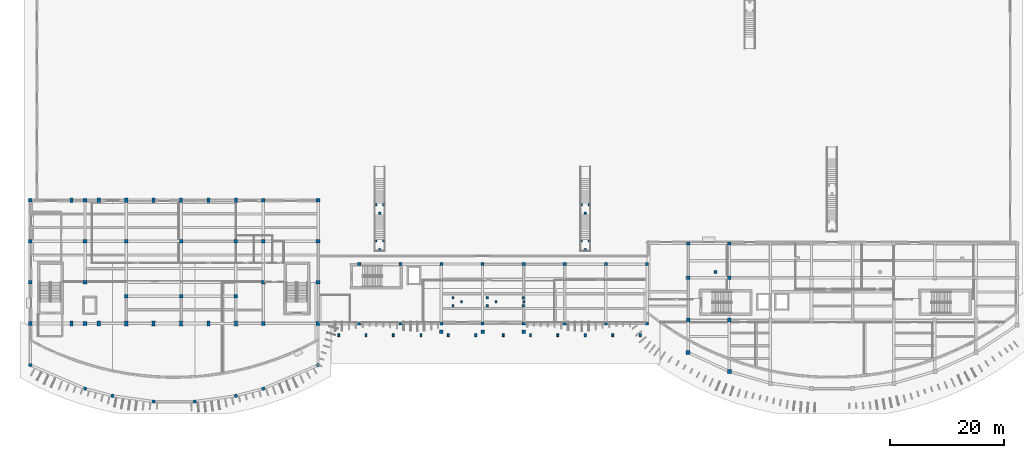
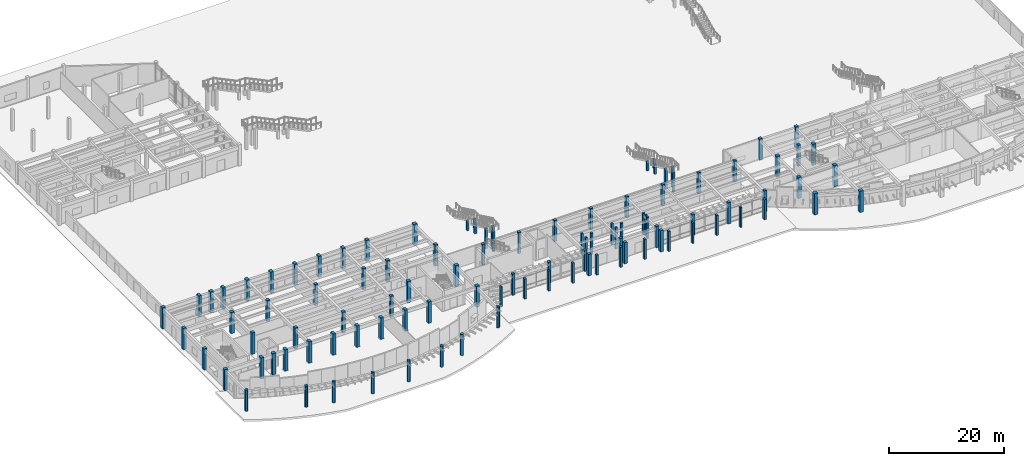
# One storey, part 1 of 58: 105 columns.
"""IFC4 building model written with IfcOpenShell, lengths in metres."""

from ifc_helpers import new_model, si_unit, direction, frame, origin, origin_2d, place, context, subcontext, project, spatial, rectangle, circle, extrude, material, material_profile, profile_set, type_object, element, save


model = new_model("IFC4")

# Units and contexts
model_context = context("Model", 3, precision=1e-05, world=origin(), true_north=direction((0.0, 1.0)))
body_context = subcontext(model_context, "Body", "Model", "MODEL_VIEW")
ifc_project = project(units=[si_unit("LENGTHUNIT", "METRE"), si_unit("AREAUNIT", "SQUARE_METRE"), si_unit("VOLUMEUNIT", "CUBIC_METRE"), si_unit("PLANEANGLEUNIT", "RADIAN"), si_unit("MASSUNIT", "GRAM", prefix="KILO")], contexts=[model_context])

# Site, building, storey
site_placement = place(None, origin())
site = spatial("IfcSite", under=ifc_project, at=site_placement, CompositionType="ELEMENT")
building_placement = place(site_placement, origin())
building = spatial("IfcBuilding", under=site, at=building_placement, Name="Brisavento Harbour Community Centre", CompositionType="ELEMENT")
storey_placement = place(building_placement, origin())
storey = spatial("IfcBuildingStorey", under=building, at=storey_placement, Name="L00", CompositionType="ELEMENT", Elevation=0.0)

# Columns
ifc_material_1 = material(Name="Concrete C35/45", Category="concrete")
ifc_material_profile_1 = material_profile(ifc_material_1, rectangle(XDim=0.39990234375, YDim=0.39990234375, at=origin_2d()), Name="Concrete C35/45")
ifc_profile_set_1 = profile_set([ifc_material_profile_1], Name="Concrete C35/45")
column_type_1 = type_object("IfcColumnType", Name="COL-RC-400", PredefinedType="COLUMN", material=ifc_profile_set_1)
for number, where, z_axis, x_axis, name in (
    (1, (60.52001953125, 35.199951171875, 0.0), (0.0, 0.0, 1.0), (1.0, 0.0, 0.0), "MST-01 MID support column 1 L00"),
    (2, (61.8798828125, 35.199951171875, 0.0), (0.0, 0.0, 1.0), (1.0, 0.0, 0.0), "MST-01 MID support column 2 L00"),
    (3, (61.199951171875, 33.7099609375, 0.0), (0.0, 0.0, 1.0), (1.0, 0.0, 0.0), "MST-01 MID support column 3 L00"),
):
    element("IfcColumn", number, at=place(storey_placement, frame(where, z_axis=z_axis, x_axis=x_axis)), inside=storey, type_object=column_type_1, Name=name, PredefinedType="COLUMN", context=body_context, shape_type="SweptSolid", body=[
        extrude(rectangle(XDim=0.39990234375, YDim=0.39990234375, at=origin_2d()), origin(), (0.0, 0.0, 1.0), 2.050048828125),
    ])
for number, where, z_axis, x_axis, name in (
    (4, (60.52001953125, 28.830078125, 0.0), (0.0, 0.0, 1.0), (1.0, 0.0, 0.0), "MST-01 TOP support column 1 L00"),
    (5, (61.8798828125, 28.830078125, 0.0), (0.0, 0.0, 1.0), (1.0, 0.0, 0.0), "MST-01 TOP support column 2 L00"),
    (6, (61.199951171875, 27.340087890625, 0.0), (0.0, 0.0, 1.0), (1.0, 0.0, 0.0), "MST-01 TOP support column 3 L00"),
):
    element("IfcColumn", number, at=place(storey_placement, frame(where, z_axis=z_axis, x_axis=x_axis)), inside=storey, type_object=column_type_1, Name=name, PredefinedType="COLUMN", context=body_context, shape_type="SweptSolid", body=[
        extrude(rectangle(XDim=0.39990234375, YDim=0.39990234375, at=origin_2d()), origin(), (0.0, 0.0, 1.0), 4.300048828125),
    ])
for number, where, z_axis, x_axis, name in (
    (7, (96.52001953125, 35.199951171875, 0.0), (0.0, 0.0, 1.0), (1.0, 0.0, 0.0), "MST-02 MID support column 1 L00"),
    (8, (97.8798828125, 35.199951171875, 0.0), (0.0, 0.0, 1.0), (1.0, 0.0, 0.0), "MST-02 MID support column 2 L00"),
    (9, (97.199951171875, 33.7099609375, 0.0), (0.0, 0.0, 1.0), (1.0, 0.0, 0.0), "MST-02 MID support column 3 L00"),
):
    element("IfcColumn", number, at=place(storey_placement, frame(where, z_axis=z_axis, x_axis=x_axis)), inside=storey, type_object=column_type_1, Name=name, PredefinedType="COLUMN", context=body_context, shape_type="SweptSolid", body=[
        extrude(rectangle(XDim=0.39990234375, YDim=0.39990234375, at=origin_2d()), origin(), (0.0, 0.0, 1.0), 2.050048828125),
    ])
for number, where, z_axis, x_axis, name in (
    (10, (96.52001953125, 28.830078125, 0.0), (0.0, 0.0, 1.0), (1.0, 0.0, 0.0), "MST-02 TOP support column 1 L00"),
    (11, (97.8798828125, 28.830078125, 0.0), (0.0, 0.0, 1.0), (1.0, 0.0, 0.0), "MST-02 TOP support column 2 L00"),
    (12, (97.199951171875, 27.340087890625, 0.0), (0.0, 0.0, 1.0), (1.0, 0.0, 0.0), "MST-02 TOP support column 3 L00"),
):
    element("IfcColumn", number, at=place(storey_placement, frame(where, z_axis=z_axis, x_axis=x_axis)), inside=storey, type_object=column_type_1, Name=name, PredefinedType="COLUMN", context=body_context, shape_type="SweptSolid", body=[
        extrude(rectangle(XDim=0.39990234375, YDim=0.39990234375, at=origin_2d()), origin(), (0.0, 0.0, 1.0), 4.300048828125),
    ])
for number, where, z_axis, x_axis, name in (
    (13, (74.010009765625, 17.510009765625, 0.0), (0.0, 0.0, 1.0), (1.0, 0.0, 0.0), "MST-08 BOT support column 1 L00"),
    (14, (74.010009765625, 18.889892578125, 0.0), (0.0, 0.0, 1.0), (1.0, 0.0, 0.0), "MST-08 BOT support column 2 L00"),
    (15, (75.52001953125, 18.199951171875, 0.0), (0.0, 0.0, 1.0), (1.0, 0.0, 0.0), "MST-08 BOT support column 3 L00"),
    (16, (80.0400390625, 17.510009765625, 0.0), (0.0, 0.0, 1.0), (1.0, 0.0, 0.0), "MST-08 MID support column 1 L00"),
    (17, (80.0400390625, 18.889892578125, 0.0), (0.0, 0.0, 1.0), (1.0, 0.0, 0.0), "MST-08 MID support column 2 L00"),
    (18, (81.550048828125, 18.199951171875, 0.0), (0.0, 0.0, 1.0), (1.0, 0.0, 0.0), "MST-08 MID support column 3 L00"),
    (19, (86.344970703125, 17.510009765625, 0.0), (0.0, 0.0, 1.0), (1.0, 0.0, 0.0), "MST-08 TOP support column 1 L00"),
    (20, (86.344970703125, 18.889892578125, 0.0), (0.0, 0.0, 1.0), (1.0, 0.0, 0.0), "MST-08 TOP support column 2 L00"),
    (21, (86.455078125, 18.199951171875, 0.0), (0.0, 0.0, 1.0), (1.0, 0.0, 0.0), "MST-08 TOP support column 3 L00"),
):
    element("IfcColumn", number, at=place(storey_placement, frame(where, z_axis=z_axis, x_axis=x_axis)), inside=storey, type_object=column_type_1, Name=name, PredefinedType="COLUMN", context=body_context, shape_type="SweptSolid", body=[
        extrude(rectangle(XDim=0.39990234375, YDim=0.39990234375, at=origin_2d()), origin(), (0.0, 0.0, 1.0), 4.5),
    ])
ifc_material_profile_2 = material_profile(ifc_material_1, rectangle(XDim=0.550048828125, YDim=0.550048828125, at=origin_2d()), Name="Concrete C35/45")
ifc_profile_set_2 = profile_set([ifc_material_profile_2], Name="Concrete C35/45")
column_type_2 = type_object("IfcColumnType", Name="COL-RC-550", PredefinedType="COLUMN", material=ifc_profile_set_2)
for number, where, z_axis, x_axis, name in (
    (22, (57.60009765625, 14.39990234375, 0.0), (0.0, 0.0, 1.0), (1.0, 0.0, 0.0), "L00 column V2S-57"),
    (23, (57.60009765625, 24.800048828125, 0.0), (0.0, 0.0, 1.0), (1.0, 0.0, 0.0), "L00 column V2N-57"),
    (24, (64.800048828125, 14.39990234375, 0.0), (0.0, 0.0, 1.0), (1.0, 0.0, 0.0), "L00 column V2S-64"),
    (25, (64.800048828125, 24.800048828125, 0.0), (0.0, 0.0, 1.0), (1.0, 0.0, 0.0), "L00 column V2N-64"),
    (26, (72.0, 14.39990234375, 0.0), (0.0, 0.0, 1.0), (1.0, 0.0, 0.0), "L00 column V2S-72"),
    (27, (72.0, 24.800048828125, 0.0), (0.0, 0.0, 1.0), (1.0, 0.0, 0.0), "L00 column V2N-72"),
    (28, (79.199951171875, 14.39990234375, 0.0), (0.0, 0.0, 1.0), (1.0, 0.0, 0.0), "L00 column V2S-79"),
    (29, (79.199951171875, 24.800048828125, 0.0), (0.0, 0.0, 1.0), (1.0, 0.0, 0.0), "L00 column V2N-79"),
    (30, (86.39990234375, 14.39990234375, 0.0), (0.0, 0.0, 1.0), (1.0, 0.0, 0.0), "L00 column V2S-86"),
    (31, (86.39990234375, 24.800048828125, 0.0), (0.0, 0.0, 1.0), (1.0, 0.0, 0.0), "L00 column V2N-86"),
    (32, (93.60009765625, 14.39990234375, 0.0), (0.0, 0.0, 1.0), (1.0, 0.0, 0.0), "L00 column V2S-93"),
    (33, (93.60009765625, 24.800048828125, 0.0), (0.0, 0.0, 1.0), (1.0, 0.0, 0.0), "L00 column V2N-93"),
    (34, (100.800048828125, 14.39990234375, 0.0), (0.0, 0.0, 1.0), (1.0, 0.0, 0.0), "L00 column V2S-100"),
    (35, (100.800048828125, 24.800048828125, 0.0), (0.0, 0.0, 1.0), (1.0, 0.0, 0.0), "L00 column V2N-100"),
    (36, (108.0, 14.39990234375, 0.0), (0.0, 0.0, 1.0), (1.0, 0.0, 0.0), "L00 column V2S-108"),
    (37, (108.0, 24.800048828125, 0.0), (0.0, 0.0, 1.0), (1.0, 0.0, 0.0), "L00 column V2N-108"),
    (38, (120.0, 23.39990234375, 0.0), (0.0, 0.0, 1.0), (1.0, 0.0, 0.0), "L00 column V3TER-120"),
):
    element("IfcColumn", number, at=place(storey_placement, frame(where, z_axis=z_axis, x_axis=x_axis)), inside=storey, type_object=column_type_2, Name=name, PredefinedType="COLUMN", context=body_context, shape_type="SweptSolid", body=[
        extrude(rectangle(XDim=0.550048828125, YDim=0.550048828125, at=origin_2d()), origin(), (0.0, 0.0, 1.0), 4.5),
    ])
ifc_material_profile_3 = material_profile(ifc_material_1, rectangle(XDim=0.60009765625, YDim=0.60009765625, at=origin_2d()), Name="Concrete C35/45")
ifc_profile_set_3 = profile_set([ifc_material_profile_3], Name="Concrete C35/45")
column_type_3 = type_object("IfcColumnType", Name="COL-RC-600", PredefinedType="COLUMN", material=ifc_profile_set_3)
for number, where, z_axis, x_axis, name in (
    (39, (16.800048828125, 19.199951171875, 0.0), (0.0, 0.0, 1.0), (1.0, 0.0, 0.0), "L00 column V1SUB-168-192"),
    (40, (16.800048828125, 28.800048828125, 0.0), (0.0, 0.0, 1.0), (1.0, 0.0, 0.0), "L00 column V1SUB-168-288"),
    (41, (26.39990234375, 19.199951171875, 0.0), (0.0, 0.0, 1.0), (1.0, 0.0, 0.0), "L00 column V1SUB-264-192"),
    (42, (26.39990234375, 28.800048828125, 0.0), (0.0, 0.0, 1.0), (1.0, 0.0, 0.0), "L00 column V1SUB-264-288"),
    (43, (36.0, 19.199951171875, 0.0), (0.0, 0.0, 1.0), (1.0, 0.0, 0.0), "L00 column V1SUB-360-192"),
    (44, (36.0, 28.800048828125, 0.0), (0.0, 0.0, 1.0), (1.0, 0.0, 0.0), "L00 column V1SUB-360-288"),
    (45, (115.199951171875, 28.39990234375, 0.0), (0.0, 0.0, 1.0), (1.0, 0.0, 0.0), "L00 column V3N2-115"),
    (46, (122.39990234375, 28.39990234375, 0.0), (0.0, 0.0, 1.0), (1.0, 0.0, 0.0), "L00 column V3N2-122"),
    (47, (72.0, 12.949951171875, 0.0), (0.0, 0.0, 1.0), (1.0, 0.0, 0.0), "L00 column V2ARCH-72"),
    (48, (79.199951171875, 12.949951171875, 0.0), (0.0, 0.0, 1.0), (1.0, 0.0, 0.0), "L00 column V2ARCH-79"),
    (49, (86.39990234375, 12.949951171875, 0.0), (0.0, 0.0, 1.0), (1.0, 0.0, 0.0), "L00 column V2ARCH-86"),
):
    element("IfcColumn", number, at=place(storey_placement, frame(where, z_axis=z_axis, x_axis=x_axis)), inside=storey, type_object=column_type_3, Name=name, PredefinedType="COLUMN", context=body_context, shape_type="SweptSolid", body=[
        extrude(rectangle(XDim=0.60009765625, YDim=0.60009765625, at=origin_2d()), origin(), (0.0, 0.0, 1.0), 4.5),
    ])
ifc_material_2 = material(Name="Concrete C40/50", Category="concrete")
ifc_material_profile_4 = material_profile(ifc_material_2, rectangle(XDim=0.64990234375, YDim=0.64990234375, at=origin_2d()), Name="Concrete C40/50")
ifc_profile_set_4 = profile_set([ifc_material_profile_4], Name="Concrete C40/50")
column_type_4 = type_object("IfcColumnType", Name="COL-RC-650", PredefinedType="COLUMN", material=ifc_profile_set_4)
for number, where, z_axis, x_axis, name in (
    (50, (0.0, 14.39990234375, 0.0), (0.0, 0.0, 1.0), (1.0, 0.0, 0.0), "L00 column V1F-0-14"),
    (51, (0.0, 21.60009765625, 0.0), (0.0, 0.0, 1.0), (1.0, 0.0, 0.0), "L00 column V1F-0-22"),
    (52, (0.0, 28.800048828125, 0.0), (0.0, 0.0, 1.0), (1.0, 0.0, 0.0), "L00 column V1F-0-29"),
    (53, (0.0, 36.0, 0.0), (0.0, 0.0, 1.0), (1.0, 0.0, 0.0), "L00 column V1F-0-36"),
    (54, (9.60009765625, 14.39990234375, 0.0), (0.0, 0.0, 1.0), (1.0, 0.0, 0.0), "L00 column V1F-10-14"),
    (55, (9.60009765625, 21.60009765625, 0.0), (0.0, 0.0, 1.0), (1.0, 0.0, 0.0), "L00 column V1F-10-22"),
    (56, (9.60009765625, 28.800048828125, 0.0), (0.0, 0.0, 1.0), (1.0, 0.0, 0.0), "L00 column V1F-10-29"),
    (57, (9.60009765625, 36.0, 0.0), (0.0, 0.0, 1.0), (1.0, 0.0, 0.0), "L00 column V1F-10-36"),
    (58, (40.800048828125, 14.39990234375, 0.0), (0.0, 0.0, 1.0), (1.0, 0.0, 0.0), "L00 column V1F-41-14"),
    (59, (40.800048828125, 21.60009765625, 0.0), (0.0, 0.0, 1.0), (1.0, 0.0, 0.0), "L00 column V1F-41-22"),
    (60, (40.800048828125, 28.800048828125, 0.0), (0.0, 0.0, 1.0), (1.0, 0.0, 0.0), "L00 column V1F-41-29"),
    (61, (40.800048828125, 36.0, 0.0), (0.0, 0.0, 1.0), (1.0, 0.0, 0.0), "L00 column V1F-41-36"),
    (62, (50.39990234375, 14.39990234375, 0.0), (0.0, 0.0, 1.0), (1.0, 0.0, 0.0), "L00 column V1F-50-14"),
    (63, (50.39990234375, 21.60009765625, 0.0), (0.0, 0.0, 1.0), (1.0, 0.0, 0.0), "L00 column V1F-50-22"),
    (64, (50.39990234375, 28.800048828125, 0.0), (0.0, 0.0, 1.0), (1.0, 0.0, 0.0), "L00 column V1F-50-29"),
    (65, (50.39990234375, 36.0, 0.0), (0.0, 0.0, 1.0), (1.0, 0.0, 0.0), "L00 column V1F-50-36"),
    (66, (115.199951171875, 15.0, 0.0), (0.0, 0.0, 1.0), (1.0, 0.0, 0.0), "L00 column V3M-115"),
    (67, (115.199951171875, 22.39990234375, 0.0), (0.0, 0.0, 1.0), (1.0, 0.0, 0.0), "L00 column V3N1-115"),
    (68, (122.39990234375, 15.0, 0.0), (0.0, 0.0, 1.0), (1.0, 0.0, 0.0), "L00 column V3M-122"),
    (69, (122.39990234375, 22.39990234375, 0.0), (0.0, 0.0, 1.0), (1.0, 0.0, 0.0), "L00 column V3N1-122"),
):
    element("IfcColumn", number, at=place(storey_placement, frame(where, z_axis=z_axis, x_axis=x_axis)), inside=storey, type_object=column_type_4, Name=name, PredefinedType="COLUMN", context=body_context, shape_type="SweptSolid", body=[
        extrude(rectangle(XDim=0.64990234375, YDim=0.64990234375, at=origin_2d()), origin(), (0.0, 0.0, 1.0), 4.5),
    ])
ifc_material_profile_5 = material_profile(ifc_material_2, rectangle(XDim=0.699951171875, YDim=0.699951171875, at=origin_2d()), Name="Concrete C40/50")
ifc_profile_set_5 = profile_set([ifc_material_profile_5], Name="Concrete C40/50")
column_type_5 = type_object("IfcColumnType", Name="COL-RC-700", PredefinedType="COLUMN", material=ifc_profile_set_5)
for number, where, z_axis, x_axis, name in (
    (70, (115.199951171875, 9.31396484375, 0.0), (0.0, 0.0, 1.0), (1.0, 0.0, 0.0), "L00 column V3S-115"),
    (71, (122.39990234375, 6.014892578125, 0.0), (0.0, 0.0, 1.0), (1.0, 0.0, 0.0), "L00 column V3S-122"),
):
    element("IfcColumn", number, at=place(storey_placement, frame(where, z_axis=z_axis, x_axis=x_axis)), inside=storey, type_object=column_type_5, Name=name, PredefinedType="COLUMN", context=body_context, shape_type="SweptSolid", body=[
        extrude(rectangle(XDim=0.699951171875, YDim=0.699951171875, at=origin_2d()), origin(), (0.0, 0.0, 1.0), 4.5),
    ])
ifc_material_profile_6 = material_profile(ifc_material_2, rectangle(XDim=0.550048828125, YDim=0.800048828125, at=origin_2d()), Name="Concrete C40/50")
ifc_profile_set_6 = profile_set([ifc_material_profile_6], Name="Concrete C40/50")
column_type_6 = type_object("IfcColumnType", Name="COL-RC-800x550", PredefinedType="COLUMN", material=ifc_profile_set_6)
for number, where, z_axis, x_axis, name in (
    (72, (7.199951171875, 14.39990234375, 0.0), (0.0, 0.0, 1.0), (1.0, 0.0, 0.0), "L00 column V1AR-1-14"),
    (73, (7.199951171875, 36.0, 0.0), (0.0, 0.0, 1.0), (1.0, 0.0, 0.0), "L00 column V1AR-1-36"),
    (74, (12.0, 14.39990234375, 0.0), (0.0, 0.0, 1.0), (1.0, 0.0, 0.0), "L00 column V1AR-2-14"),
    (75, (12.0, 36.0, 0.0), (0.0, 0.0, 1.0), (1.0, 0.0, 0.0), "L00 column V1AR-2-36"),
    (76, (16.800048828125, 14.39990234375, 0.0), (0.0, 0.0, 1.0), (1.0, 0.0, 0.0), "L00 column V1AR-3-14"),
    (77, (16.800048828125, 36.0, 0.0), (0.0, 0.0, 1.0), (1.0, 0.0, 0.0), "L00 column V1AR-3-36"),
    (78, (21.60009765625, 14.39990234375, 0.0), (0.0, 0.0, 1.0), (1.0, 0.0, 0.0), "L00 column V1AR-4-14"),
    (79, (21.60009765625, 36.0, 0.0), (0.0, 0.0, 1.0), (1.0, 0.0, 0.0), "L00 column V1AR-4-36"),
    (80, (26.39990234375, 14.39990234375, 0.0), (0.0, 0.0, 1.0), (1.0, 0.0, 0.0), "L00 column V1AR-5-14"),
    (81, (26.39990234375, 36.0, 0.0), (0.0, 0.0, 1.0), (1.0, 0.0, 0.0), "L00 column V1AR-5-36"),
    (82, (31.199951171875, 14.39990234375, 0.0), (0.0, 0.0, 1.0), (1.0, 0.0, 0.0), "L00 column V1AR-6-14"),
    (83, (31.199951171875, 36.0, 0.0), (0.0, 0.0, 1.0), (1.0, 0.0, 0.0), "L00 column V1AR-6-36"),
    (84, (36.0, 14.39990234375, 0.0), (0.0, 0.0, 1.0), (1.0, 0.0, 0.0), "L00 column V1AR-7-14"),
    (85, (36.0, 36.0, 0.0), (0.0, 0.0, 1.0), (1.0, 0.0, 0.0), "L00 column V1AR-7-36"),
):
    element("IfcColumn", number, at=place(storey_placement, frame(where, z_axis=z_axis, x_axis=x_axis)), inside=storey, type_object=column_type_6, Name=name, PredefinedType="COLUMN", context=body_context, shape_type="SweptSolid", body=[
        extrude(rectangle(XDim=0.550048828125, YDim=0.800048828125, at=origin_2d()), origin(), (0.0, 0.0, 1.0), 4.5),
    ])
ifc_material_profile_7 = material_profile(ifc_material_1, circle(Radius=0.300048828125, at=origin_2d()), Name="Concrete C35/45")
ifc_profile_set_7 = profile_set([ifc_material_profile_7], Name="Concrete C35/45")
column_type_7 = type_object("IfcColumnType", Name="COL-RC-D600", PredefinedType="COLUMN", material=ifc_profile_set_7)
for number, where, z_axis, x_axis, name in (
    (86, (0.0, 7.1142578125, 0.0), (0.0, 0.0, 1.0), (1.0, 0.0, 0.0), "L00 column V1S-1"),
    (87, (9.60009765625, 2.9951171875, 0.0), (0.0, 0.0, 1.0), (1.0, 0.0, 0.0), "L00 column V1S-2"),
    (88, (14.39990234375, 1.73388671875, 0.0), (0.0, 0.0, 1.0), (1.0, 0.0, 0.0), "L00 column V1S-3"),
    (89, (21.60009765625, 0.724853515625, 0.0), (0.0, 0.0, 1.0), (1.0, 0.0, 0.0), "L00 column V1S-4"),
    (90, (28.800048828125, 0.724853515625, 0.0), (0.0, 0.0, 1.0), (1.0, 0.0, 0.0), "L00 column V1S-5"),
    (91, (36.0, 1.73388671875, 0.0), (0.0, 0.0, 1.0), (1.0, 0.0, 0.0), "L00 column V1S-6"),
    (92, (40.800048828125, 2.9951171875, 0.0), (0.0, 0.0, 1.0), (1.0, 0.0, 0.0), "L00 column V1S-7"),
    (93, (50.39990234375, 7.1142578125, 0.0), (0.0, 0.0, 1.0), (1.0, 0.0, 0.0), "L00 column V1S-8"),
):
    element("IfcColumn", number, at=place(storey_placement, frame(where, z_axis=z_axis, x_axis=x_axis)), inside=storey, type_object=column_type_7, Name=name, PredefinedType="COLUMN", context=body_context, shape_type="SweptSolid", body=[
        extrude(circle(Radius=0.300048828125, at=origin_2d()), origin(), (0.0, 0.0, 1.0), 4.5),
    ])
ifc_material_profile_8 = material_profile(ifc_material_1, rectangle(XDim=0.35009765625, YDim=0.5, at=origin_2d()), Name="Concrete C35/45")
ifc_profile_set_8 = profile_set([ifc_material_profile_8], Name="Concrete C35/45")
column_type_8 = type_object("IfcColumnType", Name="PIL-RC-350x500", PredefinedType="PILASTER", material=ifc_profile_set_8)
for number, where, z_axis, x_axis, name in (
    (94, (54.0, 12.35009765625, 0.0), (0.0, 0.0, 1.0), (1.0, 0.0, 0.0), "Waterfront colonnade pilaster 1"),
    (95, (63.60009765625, 12.35009765625, 0.0), (0.0, 0.0, 1.0), (1.0, 0.0, 0.0), "Waterfront colonnade pilaster 3"),
    (96, (73.199951171875, 12.35009765625, 0.0), (0.0, 0.0, 1.0), (1.0, 0.0, 0.0), "Waterfront colonnade pilaster 5"),
    (97, (82.800048828125, 12.35009765625, 0.0), (0.0, 0.0, 1.0), (1.0, 0.0, 0.0), "Waterfront colonnade pilaster 7"),
    (98, (92.39990234375, 12.35009765625, 0.0), (0.0, 0.0, 1.0), (1.0, 0.0, 0.0), "Waterfront colonnade pilaster 9"),
    (99, (102.0, 12.35009765625, 0.0), (0.0, 0.0, 1.0), (1.0, 0.0, 0.0), "Waterfront colonnade pilaster 11"),
):
    element("IfcColumn", number, at=place(storey_placement, frame(where, z_axis=z_axis, x_axis=x_axis)), inside=storey, type_object=column_type_8, Name=name, PredefinedType="PILASTER", context=body_context, shape_type="SweptSolid", body=[
        extrude(rectangle(XDim=0.35009765625, YDim=0.5, at=origin_2d()), origin(), (0.0, 0.0, 1.0), 4.239990234375),
    ])
ifc_material_profile_9 = material_profile(ifc_material_1, rectangle(XDim=0.39990234375, YDim=0.550048828125, at=origin_2d()), Name="Concrete C35/45")
ifc_profile_set_9 = profile_set([ifc_material_profile_9], Name="Concrete C35/45")
column_type_9 = type_object("IfcColumnType", Name="PIL-RC-400x550", PredefinedType="PILASTER", material=ifc_profile_set_9)
for number, where, z_axis, x_axis, name in (
    (100, (58.800048828125, 12.35009765625, 0.0), (0.0, 0.0, 1.0), (1.0, 0.0, 0.0), "Waterfront colonnade pilaster 2"),
    (101, (68.39990234375, 12.35009765625, 0.0), (0.0, 0.0, 1.0), (1.0, 0.0, 0.0), "Waterfront colonnade pilaster 4"),
    (102, (78.0, 12.35009765625, 0.0), (0.0, 0.0, 1.0), (1.0, 0.0, 0.0), "Waterfront colonnade pilaster 6"),
    (103, (87.60009765625, 12.35009765625, 0.0), (0.0, 0.0, 1.0), (1.0, 0.0, 0.0), "Waterfront colonnade pilaster 8"),
    (104, (97.199951171875, 12.35009765625, 0.0), (0.0, 0.0, 1.0), (1.0, 0.0, 0.0), "Waterfront colonnade pilaster 10"),
    (105, (106.800048828125, 12.35009765625, 0.0), (0.0, 0.0, 1.0), (1.0, 0.0, 0.0), "Waterfront colonnade pilaster 12"),
):
    element("IfcColumn", number, at=place(storey_placement, frame(where, z_axis=z_axis, x_axis=x_axis)), inside=storey, type_object=column_type_9, Name=name, PredefinedType="PILASTER", context=body_context, shape_type="SweptSolid", body=[
        extrude(rectangle(XDim=0.39990234375, YDim=0.550048828125, at=origin_2d()), origin(), (0.0, 0.0, 1.0), 4.239990234375),
    ])

save(model, "model.ifc")
